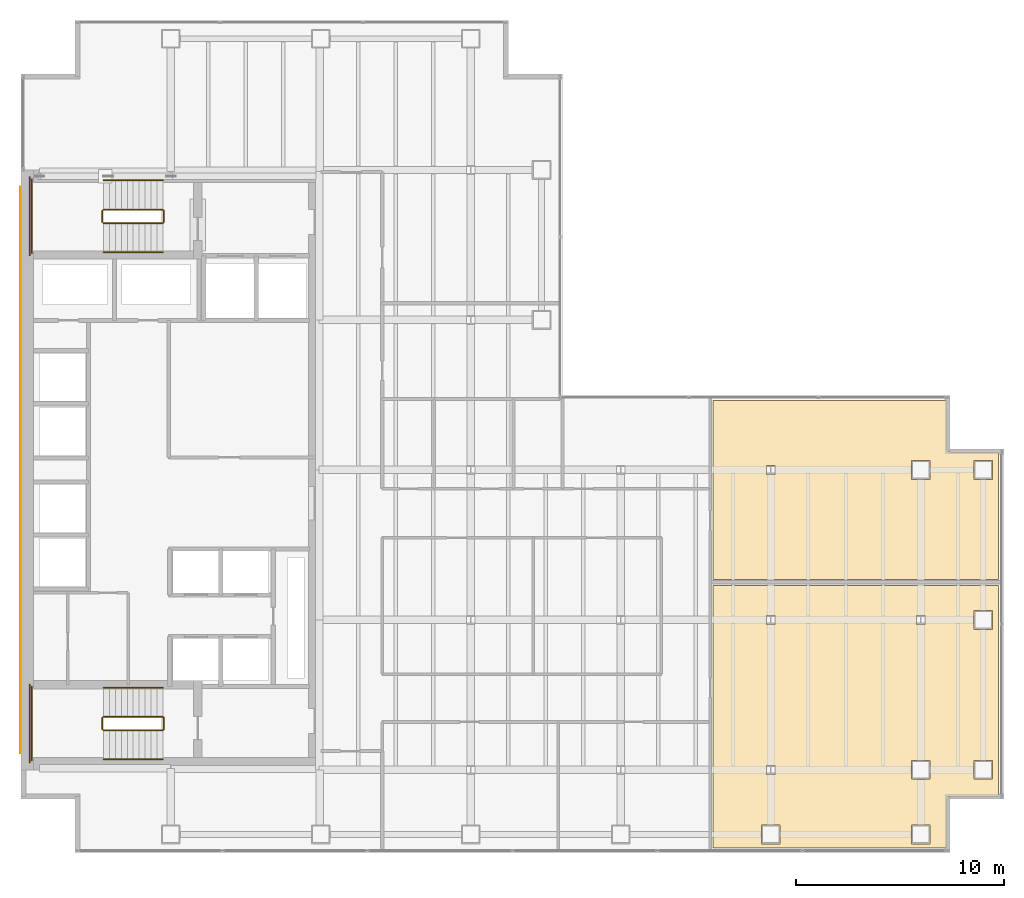
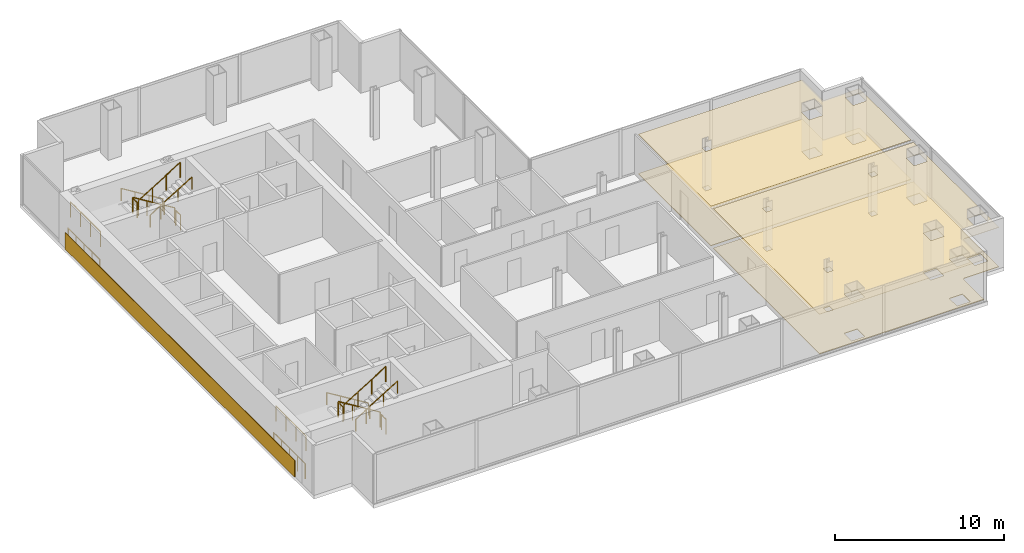
# One storey, part 23 of 23: 16 railings, 5 coverings.
"""IFC4 building model written with IfcOpenShell, lengths in metres."""

from ifc_helpers import new_model, si_unit, direction, frame, origin, origin_2d, place, context, subcontext, project, spatial, polyline, circle, outline, extrude, material, layer, layer_set, type_object, element, save


model = new_model("IFC4")

# Units and contexts
model_context = context("Model", 3, precision=1e-05, world=origin(), true_north=direction((0.0, 1.0)))
body_context = subcontext(model_context, "Body", "Model", "MODEL_VIEW")
ifc_project = project(units=[si_unit("LENGTHUNIT", "METRE"), si_unit("AREAUNIT", "SQUARE_METRE"), si_unit("VOLUMEUNIT", "CUBIC_METRE"), si_unit("PLANEANGLEUNIT", "RADIAN"), si_unit("MASSUNIT", "GRAM", prefix="KILO")], contexts=[model_context])

# Site, building, storey
site_placement = place(None, origin())
site = spatial("IfcSite", under=ifc_project, at=site_placement, CompositionType="ELEMENT")
building_placement = place(site_placement, origin())
building = spatial("IfcBuilding", under=site, at=building_placement, Name="Cobrela Telecom Tower", CompositionType="ELEMENT")
storey_placement = place(building_placement, frame((0.0, 0.0, 140.699951171875)))
storey = spatial("IfcBuildingStorey", under=building, at=storey_placement, Name="L35", CompositionType="ELEMENT", Elevation=140.699951171875)

# Coverings
ifc_material_1 = material(Name="Mineral Fibre Acoustic Ceiling Tile")
ifc_layer_1 = layer(ifc_material_1, 0.02490234375)
ifc_layer_set_1 = layer_set([ifc_layer_1], Name="Mineral Fibre Acoustic Ceiling Tile")
covering_type_1 = type_object("IfcCoveringType", Name="COV-CEIL-ACT", PredefinedType="CEILING", material=ifc_layer_set_1)
covering_1_placement = place(storey_placement, frame((0.0, 0.0, 2.860107421875)))
element("IfcCovering", 1, at=covering_1_placement, inside=storey, type_object=covering_type_1, Name="L35 Executive Reading Study 6 Suspended Acoustic Ceiling", PredefinedType="CEILING", context=body_context, shape_type="SweptSolid", body=[
    extrude(outline(polyline([(46.93994140625, 5.929931640625), (44.60888671875, 5.929931640625), (44.59619140625, 5.929443359375), (44.582763671875, 5.927490234375), (44.5693359375, 5.924072265625), (44.556396484375, 5.91943359375), (44.5439453125, 5.91357421875), (44.531982421875, 5.906494140625), (44.521240234375, 5.898193359375), (44.510986328125, 5.888916015625), (44.501708984375, 5.87890625), (44.49365234375, 5.867919921875), (44.486572265625, 5.85595703125), (44.480712890625, 5.843505859375), (44.47607421875, 5.83056640625), (44.47265625, 5.8173828125), (44.470703125, 5.8037109375), (44.469970703125, 5.791015625), (44.469970703125, 3.4599609375), (33.239990234375, 3.4599609375), (33.239990234375, 16.06005859375), (46.93994140625, 16.06005859375), (46.93994140625, 5.929931640625)]), holes=[polyline([(36.449951171875, 3.64990234375), (36.449951171875, 4.550048828125), (35.550048828125, 4.550048828125), (35.550048828125, 3.64990234375), (36.449951171875, 3.64990234375)]), polyline([(43.64990234375, 3.64990234375), (43.64990234375, 4.550048828125), (42.75, 4.550048828125), (42.75, 3.64990234375), (43.64990234375, 3.64990234375)]), polyline([(36.20458984375, 6.988037109375), (36.20458984375, 7.412109375), (35.79541015625, 7.412109375), (35.79541015625, 6.988037109375), (36.20458984375, 6.988037109375)]), polyline([(43.64990234375, 6.75), (43.64990234375, 7.64990234375), (42.75, 7.64990234375), (42.75, 6.75), (43.64990234375, 6.75)]), polyline([(46.64990234375, 6.75), (46.64990234375, 7.64990234375), (45.75, 7.64990234375), (45.75, 6.75), (46.64990234375, 6.75)]), polyline([(36.20458984375, 14.612060546875), (35.79541015625, 14.612060546875), (35.79541015625, 14.18798828125), (36.20458984375, 14.18798828125), (36.20458984375, 14.612060546875)]), polyline([(43.404541015625, 14.18798828125), (43.404541015625, 14.612060546875), (42.99560546875, 14.612060546875), (42.99560546875, 14.18798828125), (43.404541015625, 14.18798828125)]), polyline([(46.64990234375, 13.949951171875), (46.64990234375, 14.85009765625), (45.75, 14.85009765625), (45.75, 13.949951171875), (46.64990234375, 13.949951171875)])]), origin(), (0.0, 0.0, 1.0), 0.02490234375),
])
covering_2_placement = place(storey_placement, frame((0.0, 0.0, 2.860107421875)))
element("IfcCovering", 2, at=covering_2_placement, inside=storey, type_object=covering_type_1, Name="L35 Systems Engineering Studio 7 Suspended Acoustic Ceiling", PredefinedType="CEILING", context=body_context, shape_type="SweptSolid", body=[
    extrude(outline(polyline([(44.469970703125, 24.93994140625), (44.469970703125, 22.60888671875), (44.470703125, 22.59619140625), (44.47265625, 22.582763671875), (44.47607421875, 22.5693359375), (44.480712890625, 22.556396484375), (44.486572265625, 22.5439453125), (44.49365234375, 22.531982421875), (44.501708984375, 22.521240234375), (44.510986328125, 22.510986328125), (44.521240234375, 22.501708984375), (44.531982421875, 22.49365234375), (44.5439453125, 22.486572265625), (44.556396484375, 22.480712890625), (44.5693359375, 22.47607421875), (44.582763671875, 22.47265625), (44.59619140625, 22.470703125), (44.60888671875, 22.469970703125), (46.93994140625, 22.469970703125), (46.93994140625, 16.340087890625), (33.239990234375, 16.340087890625), (33.239990234375, 24.93994140625), (44.469970703125, 24.93994140625)]), holes=[polyline([(36.20458984375, 21.387939453125), (36.20458984375, 21.81201171875), (35.79541015625, 21.81201171875), (35.79541015625, 21.387939453125), (36.20458984375, 21.387939453125)]), polyline([(43.64990234375, 21.14990234375), (43.64990234375, 22.050048828125), (42.75, 22.050048828125), (42.75, 21.14990234375), (43.64990234375, 21.14990234375)]), polyline([(46.64990234375, 21.14990234375), (46.64990234375, 22.050048828125), (45.75, 22.050048828125), (45.75, 21.14990234375), (46.64990234375, 21.14990234375)])]), origin(), (0.0, 0.0, 1.0), 0.02490234375),
])
ifc_material_2 = material(Name="Bogota Terracotta Architectural Stone", Category="masonry")
ifc_layer_2 = layer(ifc_material_2, 0.0400390625)
ifc_layer_set_2 = layer_set([ifc_layer_2], Name="Bogota Terracotta Architectural Stone")
covering_type_2 = type_object("IfcCoveringType", Name="COV-CLAD-TERRA", PredefinedType="CLADDING", material=ifc_layer_set_2)
covering_3_placement = place(storey_placement, origin())
element("IfcCovering", 3, at=covering_3_placement, inside=storey, type_object=covering_type_2, Name="L35 West Core Terracotta Spandrel Cladding Band", PredefinedType="CLADDING", context=body_context, shape_type="SweptSolid", body=[
    extrude(outline(polyline([(-0.0400390625, 8.0), (0.0, 8.0), (0.0, 35.199951171875), (-0.0400390625, 35.199951171875), (-0.0400390625, 8.0)])), origin(), (0.0, 0.0, 1.0), 1.199951171875),
])
ifc_material_3 = material(Name="Honed Colombian Basalt Stone", Category="masonry")
ifc_layer_3 = layer(ifc_material_3, 0.0400390625)
ifc_layer_set_3 = layer_set([ifc_layer_3], Name="Honed Colombian Basalt Stone")
covering_type_3 = type_object("IfcCoveringType", Name="COV-FLR-STONE", PredefinedType="FLOORING", material=ifc_layer_set_3)
covering_4_placement = place(storey_placement, origin())
element("IfcCovering", 4, at=covering_4_placement, inside=storey, type_object=covering_type_3, Name="L35 Executive Reading Study 6 Raised Technical Flooring", PredefinedType="FLOORING", context=body_context, shape_type="SweptSolid", body=[
    extrude(outline(polyline([(46.93994140625, 5.929931640625), (44.60888671875, 5.929931640625), (44.59619140625, 5.929443359375), (44.582763671875, 5.927490234375), (44.5693359375, 5.924072265625), (44.556396484375, 5.91943359375), (44.5439453125, 5.91357421875), (44.531982421875, 5.906494140625), (44.521240234375, 5.898193359375), (44.510986328125, 5.888916015625), (44.501708984375, 5.87890625), (44.49365234375, 5.867919921875), (44.486572265625, 5.85595703125), (44.480712890625, 5.843505859375), (44.47607421875, 5.83056640625), (44.47265625, 5.8173828125), (44.470703125, 5.8037109375), (44.469970703125, 5.791015625), (44.469970703125, 3.4599609375), (33.239990234375, 3.4599609375), (33.239990234375, 16.06005859375), (46.93994140625, 16.06005859375), (46.93994140625, 5.929931640625)]), holes=[polyline([(36.449951171875, 3.64990234375), (36.449951171875, 4.550048828125), (35.550048828125, 4.550048828125), (35.550048828125, 3.64990234375), (36.449951171875, 3.64990234375)]), polyline([(43.64990234375, 3.64990234375), (43.64990234375, 4.550048828125), (42.75, 4.550048828125), (42.75, 3.64990234375), (43.64990234375, 3.64990234375)]), polyline([(36.20458984375, 6.988037109375), (36.20458984375, 7.412109375), (35.79541015625, 7.412109375), (35.79541015625, 6.988037109375), (36.20458984375, 6.988037109375)]), polyline([(43.64990234375, 6.75), (43.64990234375, 7.64990234375), (42.75, 7.64990234375), (42.75, 6.75), (43.64990234375, 6.75)]), polyline([(46.64990234375, 6.75), (46.64990234375, 7.64990234375), (45.75, 7.64990234375), (45.75, 6.75), (46.64990234375, 6.75)]), polyline([(36.20458984375, 14.612060546875), (35.79541015625, 14.612060546875), (35.79541015625, 14.18798828125), (36.20458984375, 14.18798828125), (36.20458984375, 14.612060546875)]), polyline([(43.404541015625, 14.18798828125), (43.404541015625, 14.612060546875), (42.99560546875, 14.612060546875), (42.99560546875, 14.18798828125), (43.404541015625, 14.18798828125)]), polyline([(46.64990234375, 13.949951171875), (46.64990234375, 14.85009765625), (45.75, 14.85009765625), (45.75, 13.949951171875), (46.64990234375, 13.949951171875)])]), origin(), (0.0, 0.0, 1.0), 0.0400390625),
])
covering_5_placement = place(storey_placement, origin())
element("IfcCovering", 5, at=covering_5_placement, inside=storey, type_object=covering_type_3, Name="L35 Systems Engineering Studio 7 Raised Technical Flooring", PredefinedType="FLOORING", context=body_context, shape_type="SweptSolid", body=[
    extrude(outline(polyline([(44.469970703125, 24.93994140625), (44.469970703125, 22.60888671875), (44.470703125, 22.59619140625), (44.47265625, 22.582763671875), (44.47607421875, 22.5693359375), (44.480712890625, 22.556396484375), (44.486572265625, 22.5439453125), (44.49365234375, 22.531982421875), (44.501708984375, 22.521240234375), (44.510986328125, 22.510986328125), (44.521240234375, 22.501708984375), (44.531982421875, 22.49365234375), (44.5439453125, 22.486572265625), (44.556396484375, 22.480712890625), (44.5693359375, 22.47607421875), (44.582763671875, 22.47265625), (44.59619140625, 22.470703125), (44.60888671875, 22.469970703125), (46.93994140625, 22.469970703125), (46.93994140625, 16.340087890625), (33.239990234375, 16.340087890625), (33.239990234375, 24.93994140625), (44.469970703125, 24.93994140625)]), holes=[polyline([(36.20458984375, 21.387939453125), (36.20458984375, 21.81201171875), (35.79541015625, 21.81201171875), (35.79541015625, 21.387939453125), (36.20458984375, 21.387939453125)]), polyline([(43.64990234375, 21.14990234375), (43.64990234375, 22.050048828125), (42.75, 22.050048828125), (42.75, 21.14990234375), (43.64990234375, 21.14990234375)]), polyline([(46.64990234375, 21.14990234375), (46.64990234375, 22.050048828125), (45.75, 22.050048828125), (45.75, 21.14990234375), (46.64990234375, 21.14990234375)])]), origin(), (0.0, 0.0, 1.0), 0.0400390625),
])

# Railings
ifc_material_4 = material(Name="Steel ASTM A36", Category="steel")
railing_type_1 = type_object("IfcRailingType", Name="RAIL-GUARD-1100", PredefinedType="GUARDRAIL", material=ifc_material_4)
railing_1_placement = place(storey_placement, frame((6.820068359375, 34.10009765625, 0.175048828125)))
element("IfcRailing", 6, at=railing_1_placement, inside=storey, type_object=railing_type_1, Name="L35 ST1 stair guard 1", PredefinedType="GUARDRAIL", context=body_context, shape_type="SweptSolid", body=[
    extrude(circle(Radius=0.02392578125, at=origin_2d()), frame((0.0, 0.0, 1.076171875), z_axis=(-0.852179220489, 0.0, 0.52325001306), x_axis=(0.0, -1.0, 0.0)), (0.0, 0.0, 1.0), 3.344482421875),
    extrude(circle(Radius=0.02099609375, at=origin_2d()), origin(), (0.0, 0.0, 1.0), 1.052001953125),
    extrude(circle(Radius=0.02099609375, at=origin_2d()), frame((-0.949951171875, 0.0, 0.583251953125)), (0.0, 0.0, 1.0), 1.052001953125),
    extrude(circle(Radius=0.02099609375, at=origin_2d()), frame((-1.900146484375, 0.0, 1.166748046875)), (0.0, 0.0, 1.0), 1.052001953125),
    extrude(circle(Radius=0.02099609375, at=origin_2d()), frame((-2.85009765625, 0.0, 1.75)), (0.0, 0.0, 1.0), 1.052001953125),
])
railing_2_placement = place(storey_placement, frame((3.919921875, 34.050048828125, 1.925048828125)))
element("IfcRailing", 7, at=railing_2_placement, inside=storey, type_object=railing_type_1, Name="L35 ST1 stair guard 2", PredefinedType="GUARDRAIL", context=body_context, shape_type="SweptSolid", body=[
    extrude(circle(Radius=0.02392578125, at=origin_2d()), frame((0.0, 0.0, 1.076171875), z_axis=(0.0, -1.0, 0.0), x_axis=(1.0, 0.0, 0.0)), (0.0, 0.0, 1.0), 0.550048828125),
    extrude(circle(Radius=0.02099609375, at=origin_2d()), origin(), (0.0, 0.0, 1.0), 1.052001953125),
    extrude(circle(Radius=0.02099609375, at=origin_2d()), frame((0.0, -0.550048828125, 0.0)), (0.0, 0.0, 1.0), 1.052001953125),
])
railing_3_placement = place(storey_placement, frame((0.530029296875, 35.550048828125, 1.925048828125)))
element("IfcRailing", 8, at=railing_3_placement, inside=storey, type_object=railing_type_1, Name="L35 ST1 stair guard 3", PredefinedType="GUARDRAIL", context=body_context, shape_type="SweptSolid", body=[
    extrude(circle(Radius=0.02392578125, at=origin_2d()), frame((0.0, 0.0, 1.076171875), z_axis=(0.0, -1.0, 0.0), x_axis=(1.0, 0.0, 0.0)), (0.0, 0.0, 1.0), 3.550048828125),
    extrude(circle(Radius=0.02099609375, at=origin_2d()), origin(), (0.0, 0.0, 1.0), 1.052001953125),
    extrude(circle(Radius=0.02099609375, at=origin_2d()), frame((0.0, -1.183349609375, 0.0)), (0.0, 0.0, 1.0), 1.052001953125),
    extrude(circle(Radius=0.02099609375, at=origin_2d()), frame((0.0, -2.36669921875, 0.0)), (0.0, 0.0, 1.0), 1.052001953125),
    extrude(circle(Radius=0.02099609375, at=origin_2d()), frame((0.0, -3.550048828125, 0.0)), (0.0, 0.0, 1.0), 1.052001953125),
])
railing_4_placement = place(storey_placement, frame((3.969970703125, 33.449951171875, 2.10009765625)))
element("IfcRailing", 9, at=railing_4_placement, inside=storey, type_object=railing_type_1, Name="L35 ST1 stair guard 4", PredefinedType="GUARDRAIL", context=body_context, shape_type="SweptSolid", body=[
    extrude(circle(Radius=0.02392578125, at=origin_2d()), frame((0.0, 0.0, 1.076171875), z_axis=(0.852179220489, 0.0, 0.52325001306), x_axis=(0.0, 1.0, 0.0)), (0.0, 0.0, 1.0), 3.344482421875),
    extrude(circle(Radius=0.02099609375, at=origin_2d()), origin(), (0.0, 0.0, 1.0), 1.052001953125),
    extrude(circle(Radius=0.02099609375, at=origin_2d()), frame((0.949951171875, 0.0, 0.583251953125)), (0.0, 0.0, 1.0), 1.052001953125),
    extrude(circle(Radius=0.02099609375, at=origin_2d()), frame((1.900146484375, 0.0, 1.166748046875)), (0.0, 0.0, 1.0), 1.052001953125),
    extrude(circle(Radius=0.02099609375, at=origin_2d()), frame((2.85009765625, 0.0, 1.75)), (0.0, 0.0, 1.0), 1.052001953125),
])
railing_5_placement = place(storey_placement, frame((6.8701171875, 34.050048828125, 0.0)))
element("IfcRailing", 10, at=railing_5_placement, inside=storey, type_object=railing_type_1, Name="L35 ST1 stair guard 5", PredefinedType="GUARDRAIL", context=body_context, shape_type="SweptSolid", body=[
    extrude(circle(Radius=0.02392578125, at=origin_2d()), frame((0.0, 0.0, 1.076171875), z_axis=(0.0, -1.0, 0.0), x_axis=(1.0, 0.0, 0.0)), (0.0, 0.0, 1.0), 0.550048828125),
    extrude(circle(Radius=0.02099609375, at=origin_2d()), origin(), (0.0, 0.0, 1.0), 1.052001953125),
    extrude(circle(Radius=0.02099609375, at=origin_2d()), frame((0.0, -0.550048828125, 0.0)), (0.0, 0.0, 1.0), 1.052001953125),
])
railing_6_placement = place(storey_placement, frame((0.429931640625, 35.64990234375, 0.0)))
element("IfcRailing", 11, at=railing_6_placement, inside=storey, type_object=railing_type_1, Name="L35 ST1 stair guard 6", PredefinedType="GUARDRAIL", context=body_context, shape_type="SweptSolid", body=[
    extrude(circle(Radius=0.02392578125, at=origin_2d()), frame((0.0, 0.0, 1.076171875), z_axis=(0.0, -1.0, 0.0), x_axis=(1.0, 0.0, 0.0)), (0.0, 0.0, 1.0), 3.75),
    extrude(circle(Radius=0.02099609375, at=origin_2d()), origin(), (0.0, 0.0, 1.0), 1.052001953125),
    extrude(circle(Radius=0.02099609375, at=origin_2d()), frame((0.0, -0.9375, 0.0)), (0.0, 0.0, 1.0), 1.052001953125),
    extrude(circle(Radius=0.02099609375, at=origin_2d()), frame((0.0, -1.875, 0.0)), (0.0, 0.0, 1.0), 1.052001953125),
    extrude(circle(Radius=0.02099609375, at=origin_2d()), frame((0.0, -2.8125, 0.0)), (0.0, 0.0, 1.0), 1.052001953125),
    extrude(circle(Radius=0.02099609375, at=origin_2d()), frame((0.0, -3.75, 0.0)), (0.0, 0.0, 1.0), 1.052001953125),
])
railing_7_placement = place(storey_placement, frame((6.820068359375, 9.75, 0.175048828125)))
element("IfcRailing", 12, at=railing_7_placement, inside=storey, type_object=railing_type_1, Name="L35 ST2 stair guard 1", PredefinedType="GUARDRAIL", context=body_context, shape_type="SweptSolid", body=[
    extrude(circle(Radius=0.02392578125, at=origin_2d()), frame((0.0, 0.0, 1.076171875), z_axis=(-0.852179220489, 0.0, 0.52325001306), x_axis=(0.0, -1.0, 0.0)), (0.0, 0.0, 1.0), 3.344482421875),
    extrude(circle(Radius=0.02099609375, at=origin_2d()), origin(), (0.0, 0.0, 1.0), 1.052001953125),
    extrude(circle(Radius=0.02099609375, at=origin_2d()), frame((-0.949951171875, 0.0, 0.583251953125)), (0.0, 0.0, 1.0), 1.052001953125),
    extrude(circle(Radius=0.02099609375, at=origin_2d()), frame((-1.900146484375, 0.0, 1.166748046875)), (0.0, 0.0, 1.0), 1.052001953125),
    extrude(circle(Radius=0.02099609375, at=origin_2d()), frame((-2.85009765625, 0.0, 1.75)), (0.0, 0.0, 1.0), 1.052001953125),
])
railing_8_placement = place(storey_placement, frame((3.919921875, 9.699951171875, 1.925048828125)))
element("IfcRailing", 13, at=railing_8_placement, inside=storey, type_object=railing_type_1, Name="L35 ST2 stair guard 2", PredefinedType="GUARDRAIL", context=body_context, shape_type="SweptSolid", body=[
    extrude(circle(Radius=0.02392578125, at=origin_2d()), frame((0.0, 0.0, 1.076171875), z_axis=(0.0, -1.0, 0.0), x_axis=(1.0, 0.0, 0.0)), (0.0, 0.0, 1.0), 0.550048828125),
    extrude(circle(Radius=0.02099609375, at=origin_2d()), origin(), (0.0, 0.0, 1.0), 1.052001953125),
    extrude(circle(Radius=0.02099609375, at=origin_2d()), frame((0.0, -0.550048828125, 0.0)), (0.0, 0.0, 1.0), 1.052001953125),
])
railing_9_placement = place(storey_placement, frame((0.530029296875, 11.199951171875, 1.925048828125)))
element("IfcRailing", 14, at=railing_9_placement, inside=storey, type_object=railing_type_1, Name="L35 ST2 stair guard 3", PredefinedType="GUARDRAIL", context=body_context, shape_type="SweptSolid", body=[
    extrude(circle(Radius=0.02392578125, at=origin_2d()), frame((0.0, 0.0, 1.076171875), z_axis=(0.0, -1.0, 0.0), x_axis=(1.0, 0.0, 0.0)), (0.0, 0.0, 1.0), 3.550048828125),
    extrude(circle(Radius=0.02099609375, at=origin_2d()), origin(), (0.0, 0.0, 1.0), 1.052001953125),
    extrude(circle(Radius=0.02099609375, at=origin_2d()), frame((0.0, -1.183349609375, 0.0)), (0.0, 0.0, 1.0), 1.052001953125),
    extrude(circle(Radius=0.02099609375, at=origin_2d()), frame((0.0, -2.36669921875, 0.0)), (0.0, 0.0, 1.0), 1.052001953125),
    extrude(circle(Radius=0.02099609375, at=origin_2d()), frame((0.0, -3.550048828125, 0.0)), (0.0, 0.0, 1.0), 1.052001953125),
])
railing_10_placement = place(storey_placement, frame((3.969970703125, 9.10009765625, 2.10009765625)))
element("IfcRailing", 15, at=railing_10_placement, inside=storey, type_object=railing_type_1, Name="L35 ST2 stair guard 4", PredefinedType="GUARDRAIL", context=body_context, shape_type="SweptSolid", body=[
    extrude(circle(Radius=0.02392578125, at=origin_2d()), frame((0.0, 0.0, 1.076171875), z_axis=(0.852179220489, 0.0, 0.52325001306), x_axis=(0.0, 1.0, 0.0)), (0.0, 0.0, 1.0), 3.344482421875),
    extrude(circle(Radius=0.02099609375, at=origin_2d()), origin(), (0.0, 0.0, 1.0), 1.052001953125),
    extrude(circle(Radius=0.02099609375, at=origin_2d()), frame((0.949951171875, 0.0, 0.583251953125)), (0.0, 0.0, 1.0), 1.052001953125),
    extrude(circle(Radius=0.02099609375, at=origin_2d()), frame((1.900146484375, 0.0, 1.166748046875)), (0.0, 0.0, 1.0), 1.052001953125),
    extrude(circle(Radius=0.02099609375, at=origin_2d()), frame((2.85009765625, 0.0, 1.75)), (0.0, 0.0, 1.0), 1.052001953125),
])
railing_11_placement = place(storey_placement, frame((6.8701171875, 9.699951171875, 0.0)))
element("IfcRailing", 16, at=railing_11_placement, inside=storey, type_object=railing_type_1, Name="L35 ST2 stair guard 5", PredefinedType="GUARDRAIL", context=body_context, shape_type="SweptSolid", body=[
    extrude(circle(Radius=0.02392578125, at=origin_2d()), frame((0.0, 0.0, 1.076171875), z_axis=(0.0, -1.0, 0.0), x_axis=(1.0, 0.0, 0.0)), (0.0, 0.0, 1.0), 0.550048828125),
    extrude(circle(Radius=0.02099609375, at=origin_2d()), origin(), (0.0, 0.0, 1.0), 1.052001953125),
    extrude(circle(Radius=0.02099609375, at=origin_2d()), frame((0.0, -0.550048828125, 0.0)), (0.0, 0.0, 1.0), 1.052001953125),
])
railing_12_placement = place(storey_placement, frame((0.429931640625, 11.300048828125, 0.0)))
element("IfcRailing", 17, at=railing_12_placement, inside=storey, type_object=railing_type_1, Name="L35 ST2 stair guard 6", PredefinedType="GUARDRAIL", context=body_context, shape_type="SweptSolid", body=[
    extrude(circle(Radius=0.02392578125, at=origin_2d()), frame((0.0, 0.0, 1.076171875), z_axis=(0.0, -1.0, 0.0), x_axis=(1.0, 0.0, 0.0)), (0.0, 0.0, 1.0), 3.75),
    extrude(circle(Radius=0.02099609375, at=origin_2d()), origin(), (0.0, 0.0, 1.0), 1.052001953125),
    extrude(circle(Radius=0.02099609375, at=origin_2d()), frame((0.0, -0.9375, 0.0)), (0.0, 0.0, 1.0), 1.052001953125),
    extrude(circle(Radius=0.02099609375, at=origin_2d()), frame((0.0, -1.875, 0.0)), (0.0, 0.0, 1.0), 1.052001953125),
    extrude(circle(Radius=0.02099609375, at=origin_2d()), frame((0.0, -2.8125, 0.0)), (0.0, 0.0, 1.0), 1.052001953125),
    extrude(circle(Radius=0.02099609375, at=origin_2d()), frame((0.0, -3.75, 0.0)), (0.0, 0.0, 1.0), 1.052001953125),
])
railing_type_2 = type_object("IfcRailingType", Name="RAIL-HAND-920", PredefinedType="HANDRAIL", material=ifc_material_4)
railing_13_placement = place(storey_placement, frame((6.820068359375, 35.5, 0.175048828125)))
element("IfcRailing", 18, at=railing_13_placement, inside=storey, type_object=railing_type_2, Name="L35 ST1 stair handrail 1", PredefinedType="HANDRAIL", context=body_context, shape_type="SweptSolid", body=[
    extrude(circle(Radius=0.02392578125, at=origin_2d()), frame((0.0, 0.0, 0.8759765625), z_axis=(-0.852179220489, 0.0, 0.52325001306), x_axis=(0.0, -1.0, 0.0)), (0.0, 0.0, 1.0), 3.344482421875),
    extrude(circle(Radius=0.02099609375, at=origin_2d()), origin(), (0.0, 0.0, 1.0), 0.851806640625),
    extrude(circle(Radius=0.02099609375, at=origin_2d()), frame((-0.949951171875, 0.0, 0.583251953125)), (0.0, 0.0, 1.0), 0.851806640625),
    extrude(circle(Radius=0.02099609375, at=origin_2d()), frame((-1.900146484375, 0.0, 1.166748046875)), (0.0, 0.0, 1.0), 0.851806640625),
    extrude(circle(Radius=0.02099609375, at=origin_2d()), frame((-2.85009765625, 0.0, 1.75)), (0.0, 0.0, 1.0), 0.851806640625),
])
railing_14_placement = place(storey_placement, frame((3.969970703125, 32.050048828125, 2.10009765625)))
element("IfcRailing", 19, at=railing_14_placement, inside=storey, type_object=railing_type_2, Name="L35 ST1 stair handrail 2", PredefinedType="HANDRAIL", context=body_context, shape_type="SweptSolid", body=[
    extrude(circle(Radius=0.02392578125, at=origin_2d()), frame((0.0, 0.0, 0.8759765625), z_axis=(0.852179220489, 0.0, 0.52325001306), x_axis=(0.0, 1.0, 0.0)), (0.0, 0.0, 1.0), 3.344482421875),
    extrude(circle(Radius=0.02099609375, at=origin_2d()), origin(), (0.0, 0.0, 1.0), 0.851806640625),
    extrude(circle(Radius=0.02099609375, at=origin_2d()), frame((0.949951171875, 0.0, 0.583251953125)), (0.0, 0.0, 1.0), 0.851806640625),
    extrude(circle(Radius=0.02099609375, at=origin_2d()), frame((1.900146484375, 0.0, 1.166748046875)), (0.0, 0.0, 1.0), 0.851806640625),
    extrude(circle(Radius=0.02099609375, at=origin_2d()), frame((2.85009765625, 0.0, 1.75)), (0.0, 0.0, 1.0), 0.851806640625),
])
railing_15_placement = place(storey_placement, frame((6.820068359375, 11.14990234375, 0.175048828125)))
element("IfcRailing", 20, at=railing_15_placement, inside=storey, type_object=railing_type_2, Name="L35 ST2 stair handrail 1", PredefinedType="HANDRAIL", context=body_context, shape_type="SweptSolid", body=[
    extrude(circle(Radius=0.02392578125, at=origin_2d()), frame((0.0, 0.0, 0.8759765625), z_axis=(-0.852179220489, 0.0, 0.52325001306), x_axis=(0.0, -1.0, 0.0)), (0.0, 0.0, 1.0), 3.344482421875),
    extrude(circle(Radius=0.02099609375, at=origin_2d()), origin(), (0.0, 0.0, 1.0), 0.851806640625),
    extrude(circle(Radius=0.02099609375, at=origin_2d()), frame((-0.949951171875, 0.0, 0.583251953125)), (0.0, 0.0, 1.0), 0.851806640625),
    extrude(circle(Radius=0.02099609375, at=origin_2d()), frame((-1.900146484375, 0.0, 1.166748046875)), (0.0, 0.0, 1.0), 0.851806640625),
    extrude(circle(Radius=0.02099609375, at=origin_2d()), frame((-2.85009765625, 0.0, 1.75)), (0.0, 0.0, 1.0), 0.851806640625),
])
railing_16_placement = place(storey_placement, frame((3.969970703125, 7.699951171875, 2.10009765625)))
element("IfcRailing", 21, at=railing_16_placement, inside=storey, type_object=railing_type_2, Name="L35 ST2 stair handrail 2", PredefinedType="HANDRAIL", context=body_context, shape_type="SweptSolid", body=[
    extrude(circle(Radius=0.02392578125, at=origin_2d()), frame((0.0, 0.0, 0.8759765625), z_axis=(0.852179220489, 0.0, 0.52325001306), x_axis=(0.0, 1.0, 0.0)), (0.0, 0.0, 1.0), 3.344482421875),
    extrude(circle(Radius=0.02099609375, at=origin_2d()), origin(), (0.0, 0.0, 1.0), 0.851806640625),
    extrude(circle(Radius=0.02099609375, at=origin_2d()), frame((0.949951171875, 0.0, 0.583251953125)), (0.0, 0.0, 1.0), 0.851806640625),
    extrude(circle(Radius=0.02099609375, at=origin_2d()), frame((1.900146484375, 0.0, 1.166748046875)), (0.0, 0.0, 1.0), 0.851806640625),
    extrude(circle(Radius=0.02099609375, at=origin_2d()), frame((2.85009765625, 0.0, 1.75)), (0.0, 0.0, 1.0), 0.851806640625),
])

save(model, "model.ifc")
